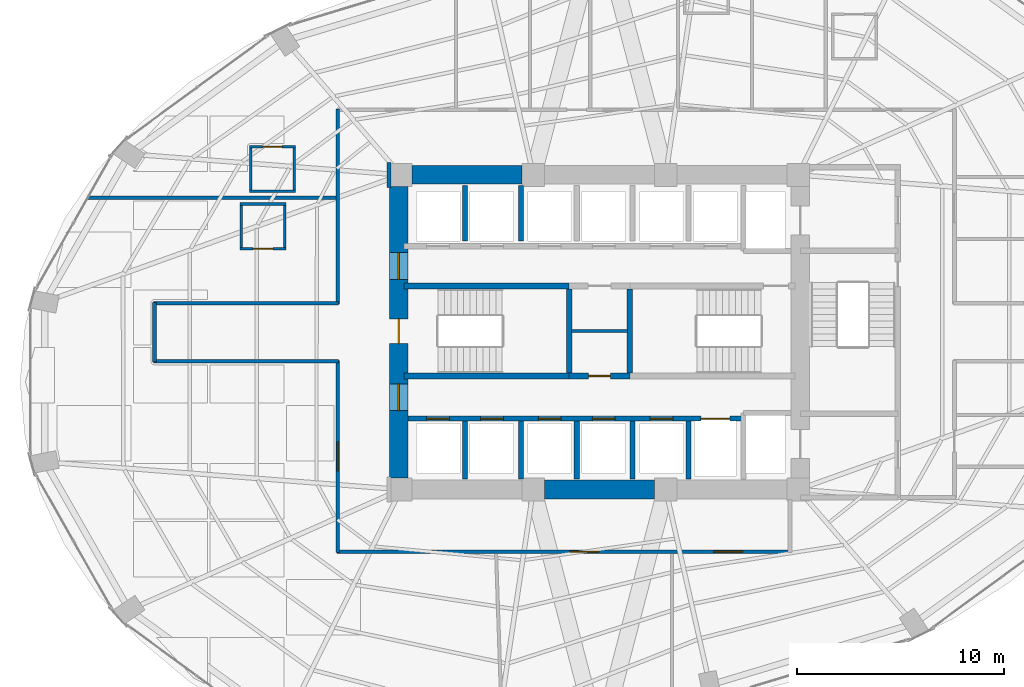
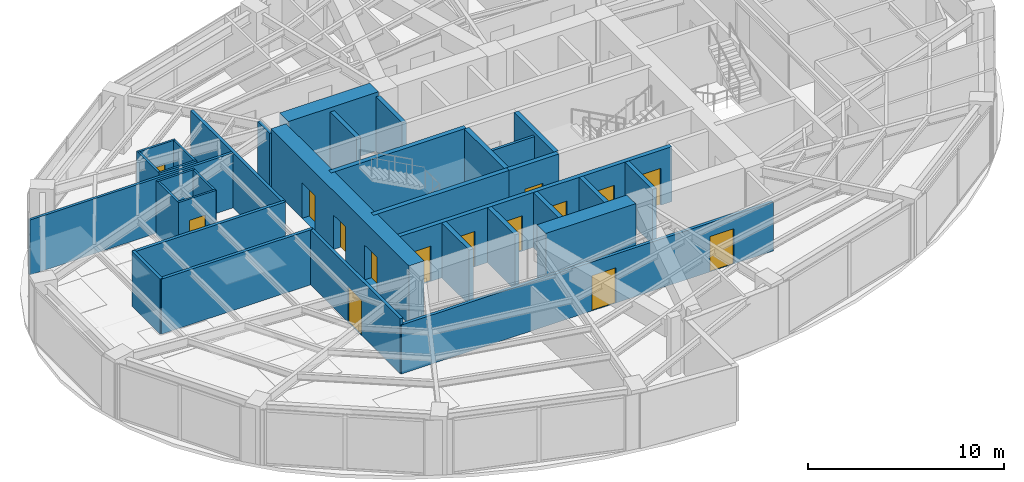
# One storey, part 20 of 24: 33 walls, 15 doors, 15 openings.
"""IFC4 building model written with IfcOpenShell, lengths in metres."""

from ifc_helpers import new_model, si_unit, direction, frame, frame_2d, origin, place, context, subcontext, project, spatial, rectangle, extrude, material, layer, layer_set, type_object, element, fill, save


model = new_model("IFC4")

# Units and contexts
model_context = context("Model", 3, precision=1e-05, world=origin(), true_north=direction((0.0, 1.0)))
body_context = subcontext(model_context, "Body", "Model", "MODEL_VIEW")
ifc_project = project(units=[si_unit("LENGTHUNIT", "METRE"), si_unit("AREAUNIT", "SQUARE_METRE"), si_unit("VOLUMEUNIT", "CUBIC_METRE"), si_unit("PLANEANGLEUNIT", "RADIAN"), si_unit("MASSUNIT", "GRAM", prefix="KILO")], contexts=[model_context])

# Site, building, storey
site_placement = place(None, origin())
site = spatial("IfcSite", under=ifc_project, at=site_placement, CompositionType="ELEMENT")
building_placement = place(site_placement, origin())
building = spatial("IfcBuilding", under=site, at=building_placement, Name="Lazwardi Medical Tower", CompositionType="ELEMENT")
storey_placement = place(building_placement, frame((0.0, 0.0, 54.384033203125)))
storey = spatial("IfcBuildingStorey", under=building, at=storey_placement, Name="L13", CompositionType="ELEMENT", Elevation=54.384033203125)

# Walls
ifc_material_1 = material(Name="Fire-rated gypsum board on steel stud", Category="steel")
ifc_layer_1 = layer(ifc_material_1, 0.179931640625)
ifc_layer_set_1 = layer_set([ifc_layer_1], Name="Fire-rated gypsum board on steel stud")
wall_type_1 = type_object("IfcWallType", Name="WL-COR-180", PredefinedType="PARTITIONING", material=ifc_layer_set_1)
wall_1_placement = place(storey_placement, frame((14.5, 26.56005859375, 0.0), z_axis=(0.0, 0.0, 1.0), x_axis=(0.0, 1.0, 0.0)))
element("IfcWall", 1, at=wall_1_placement, inside=storey, type_object=wall_type_1, Name="L13 Corridor partition 1", PredefinedType="PARTITIONING", context=body_context, shape_type="SweptSolid", body=[
    extrude(rectangle(XDim=2.8798828125, YDim=0.179931640625, at=frame_2d((1.43994140625, 0.0))), origin(), (0.0, 0.0, 1.0), 3.427978515625),
])
wall_2_placement = place(storey_placement, frame((14.4599609375, 29.39990234375, 0.0), z_axis=(0.0, 0.0, 1.0), x_axis=(1.0, 0.0, 0.0)))
element("IfcWall", 2, at=wall_2_placement, inside=storey, type_object=wall_type_1, Name="L13 Corridor partition 2", PredefinedType="PARTITIONING", context=body_context, shape_type="SweptSolid", body=[
    extrude(rectangle(XDim=8.929931640625, YDim=0.179931640625, at=frame_2d((4.46484375, 0.0))), origin(), (0.0, 0.0, 1.0), 3.427978515625),
])
wall_3_placement = place(storey_placement, frame((23.35009765625, 29.360107421875, 0.0), z_axis=(0.0, 0.0, 1.0), x_axis=(0.0, 1.0, 0.0)))
element("IfcWall", 3, at=wall_3_placement, inside=storey, type_object=wall_type_1, Name="L13 Corridor partition 3", PredefinedType="PARTITIONING", context=body_context, shape_type="SweptSolid", body=[
    extrude(rectangle(XDim=9.429931640625, YDim=0.179931640625, at=frame_2d((4.71484375, 0.0))), origin(), (0.0, 0.0, 1.0), 3.427978515625),
])
wall_4_placement = place(storey_placement, frame((25.830078125, 36.2099609375, 0.0), z_axis=(0.0, 0.0, 1.0), x_axis=(0.0, -1.0, 0.0)))
element("IfcWall", 4, at=wall_4_placement, inside=storey, type_object=wall_type_1, Name="L13 Corridor partition 12", PredefinedType="PARTITIONING", context=body_context, shape_type="SweptSolid", body=[
    extrude(rectangle(XDim=1.219970703125, YDim=0.179931640625, at=frame_2d((0.60986328125, 0.0))), origin(), (0.0, 0.0, 1.0), 3.427978515625),
])

# Wall, openings, doors
wall_5_placement = place(storey_placement, frame((45.239990234375, 17.39990234375, 0.0), z_axis=(0.0, 0.0, 1.0), x_axis=(-1.0, 0.0, 0.0)))
wall_5 = element("IfcWall", 5, at=wall_5_placement, inside=storey, type_object=wall_type_1, Name="L13 Corridor partition 15", PredefinedType="PARTITIONING", context=body_context, shape_type="SweptSolid", body=[
    extrude(rectangle(XDim=21.929931640625, YDim=0.179931640625, at=frame_2d((10.96484375, 0.0))), origin(), (0.0, 0.0, 1.0), 3.052978515625),
])
opening_1_placement = place(wall_5_placement, frame((9.288818359375, 0.0, 0.0)))
opening_1 = element("IfcOpeningElement", 6, at=opening_1_placement, cuts=wall_5, Name="Opening D-L13-012", PredefinedType="OPENING", context=body_context, shape_type="SweptSolid", body=[
    extrude(rectangle(XDim=1.39990234375, YDim=2.199951171875, at=frame_2d((0.699951171875, 1.10009765625))), frame((0.0, 0.099853515625, 0.0), z_axis=(0.0, -1.0, 0.0), x_axis=(1.0, 0.0, 0.0)), (0.0, 0.0, 1.0), 0.199951171875),
])
opening_2_placement = place(wall_5_placement, frame((2.3291015625, 0.0, 0.0)))
opening_2 = element("IfcOpeningElement", 7, at=opening_2_placement, cuts=wall_5, Name="Opening D-L13-013", PredefinedType="OPENING", context=body_context, shape_type="SweptSolid", body=[
    extrude(rectangle(XDim=1.39990234375, YDim=2.199951171875, at=frame_2d((0.699951171875, 1.10009765625))), frame((0.0, 0.099853515625, 0.0), z_axis=(0.0, -1.0, 0.0), x_axis=(1.0, 0.0, 0.0)), (0.0, 0.0, 1.0), 0.199951171875),
])
ifc_material_2 = material(Name="Anti-microbial laminate hospital leaf")
door_type_1 = type_object("IfcDoorType", Name="DR-BED-1400", OperationType="NOTDEFINED", PredefinedType="DOOR", material=ifc_material_2)
door_1_placement = place(opening_1_placement, origin())
door_1 = element("IfcDoor", 8, at=door_1_placement, inside=storey, type_object=door_type_1, Name="L13 Rehabilitation Gymnasium Door 02", OperationType="SINGLE_SWING_RIGHT", OverallHeight=2.199951171875, OverallWidth=1.39990234375, PredefinedType="DOOR", context=body_context, shape_type="SweptSolid", body=[
    extrude(rectangle(XDim=1.39990234375, YDim=2.199951171875, at=frame_2d((0.699951171875, 1.10009765625))), frame((0.0, 0.02490234375, 0.0), z_axis=(0.0, -1.0, 0.0), x_axis=(1.0, 0.0, 0.0)), (0.0, 0.0, 1.0), 0.050048828125),
])
fill(opening_1, door_1)
door_2_placement = place(opening_2_placement, origin())
door_2 = element("IfcDoor", 9, at=door_2_placement, inside=storey, type_object=door_type_1, Name="L13 Patient Day Lounge Door 03", OperationType="SINGLE_SWING_LEFT", OverallHeight=2.199951171875, OverallWidth=1.39990234375, PredefinedType="DOOR", context=body_context, shape_type="SweptSolid", body=[
    extrude(rectangle(XDim=1.39990234375, YDim=2.199951171875, at=frame_2d((0.699951171875, 1.10009765625))), frame((0.0, 0.02490234375, 0.0), z_axis=(0.0, -1.0, 0.0), x_axis=(1.0, 0.0, 0.0)), (0.0, 0.0, 1.0), 0.050048828125),
])
fill(opening_2, door_2)

# Wall, opening, door
wall_6_placement = place(storey_placement, frame((23.35009765625, 17.360107421875, 0.0), z_axis=(0.0, 0.0, 1.0), x_axis=(0.0, 1.0, 0.0)))
wall_6 = element("IfcWall", 10, at=wall_6_placement, inside=storey, type_object=wall_type_1, Name="L13 Corridor partition 16", PredefinedType="PARTITIONING", context=body_context, shape_type="SweptSolid", body=[
    extrude(rectangle(XDim=9.27978515625, YDim=0.179931640625, at=frame_2d((4.639892578125, 0.0))), origin(), (0.0, 0.0, 1.0), 3.427978515625),
])
opening_3_placement = place(wall_6_placement, frame((3.93994140625, 0.0, 0.0)))
opening_3 = element("IfcOpeningElement", 11, at=opening_3_placement, cuts=wall_6, Name="Opening D-L13-011", PredefinedType="OPENING", context=body_context, shape_type="SweptSolid", body=[
    extrude(rectangle(XDim=1.39990234375, YDim=2.199951171875, at=frame_2d((0.699951171875, 1.10009765625))), frame((0.0, 0.099853515625, 0.0), z_axis=(0.0, -1.0, 0.0), x_axis=(1.0, 0.0, 0.0)), (0.0, 0.0, 1.0), 0.199951171875),
])
door_3_placement = place(opening_3_placement, origin())
door_3 = element("IfcDoor", 12, at=door_3_placement, inside=storey, type_object=door_type_1, Name="L13 Inpatient Ward Door 01", OperationType="SINGLE_SWING_LEFT", OverallHeight=2.199951171875, OverallWidth=1.39990234375, PredefinedType="DOOR", context=body_context, shape_type="SweptSolid", body=[
    extrude(rectangle(XDim=1.39990234375, YDim=2.199951171875, at=frame_2d((0.699951171875, 1.10009765625))), frame((0.0, 0.02490234375, 0.0), z_axis=(0.0, -1.0, 0.0), x_axis=(1.0, 0.0, 0.0)), (0.0, 0.0, 1.0), 0.050048828125),
])
fill(opening_3, door_3)

# Wall
wall_7_placement = place(storey_placement, frame((23.389892578125, 26.60009765625, 0.0), z_axis=(0.0, 0.0, 1.0), x_axis=(-1.0, 0.0, 0.0)))
element("IfcWall", 13, at=wall_7_placement, inside=storey, type_object=wall_type_1, Name="L13 Corridor partition 17", PredefinedType="PARTITIONING", context=body_context, shape_type="SweptSolid", body=[
    extrude(rectangle(XDim=8.929931640625, YDim=0.179931640625, at=frame_2d((4.46484375, 0.0))), origin(), (0.0, 0.0, 1.0), 3.427978515625),
])

# Wall, openings, doors
ifc_material_3 = material(Name="Concrete C80/95", Category="concrete")
ifc_layer_2 = layer(ifc_material_3, 0.89990234375)
ifc_layer_set_2 = layer_set([ifc_layer_2], Name="Concrete C80/95")
wall_type_2 = type_object("IfcWallType", Name="WL-CORE-900", PredefinedType="SHEAR", material=ifc_layer_set_2)
wall_8_placement = place(storey_placement, frame((26.300048828125, 20.949951171875, 0.0), z_axis=(0.0, 0.0, 1.0), x_axis=(0.0, 1.0, 0.0)))
wall_8 = element("IfcWall", 14, at=wall_8_placement, inside=storey, type_object=wall_type_2, Name="Core wall CW-S1 west L13", PredefinedType="SHEAR", context=body_context, shape_type="SweptSolid", body=[
    extrude(rectangle(XDim=14.10009765625, YDim=0.89990234375, at=frame_2d((7.050048828125, 0.0))), origin(), (0.0, 0.0, 1.0), 3.64794921875),
])
opening_4_placement = place(wall_8_placement, frame((6.5, 0.0, 0.0)))
opening_4 = element("IfcOpeningElement", 15, at=opening_4_placement, cuts=wall_8, Name="Opening D-L13-024", PredefinedType="OPENING", context=body_context, shape_type="SweptSolid", body=[
    extrude(rectangle(XDim=1.199951171875, YDim=2.14990234375, at=frame_2d((0.60009765625, 1.074951171875))), frame((0.0, 0.4599609375, 0.0), z_axis=(0.0, -1.0, 0.0), x_axis=(1.0, 0.0, 0.0)), (0.0, 0.0, 1.0), 0.919921875),
])
opening_5_placement = place(wall_8_placement, frame((9.60009765625, 0.0, 0.0)))
opening_5 = element("IfcOpeningElement", 16, at=opening_5_placement, cuts=wall_8, Name="Opening D-L13-009", PredefinedType="OPENING", context=body_context, shape_type="SweptSolid", body=[
    extrude(rectangle(XDim=1.300048828125, YDim=2.199951171875, at=frame_2d((0.64990234375, 1.10009765625))), frame((0.0, 0.4599609375, 0.0), z_axis=(0.0, -1.0, 0.0), x_axis=(1.0, 0.0, 0.0)), (0.0, 0.0, 1.0), 0.919921875),
])
opening_6_placement = place(wall_8_placement, frame((3.260009765625, 0.0, 0.0)))
opening_6 = element("IfcOpeningElement", 17, at=opening_6_placement, cuts=wall_8, Name="Opening D-L13-010", PredefinedType="OPENING", context=body_context, shape_type="SweptSolid", body=[
    extrude(rectangle(XDim=1.300048828125, YDim=2.199951171875, at=frame_2d((0.64990234375, 1.10009765625))), frame((0.0, 0.4599609375, 0.0), z_axis=(0.0, -1.0, 0.0), x_axis=(1.0, 0.0, 0.0)), (0.0, 0.0, 1.0), 0.919921875),
])
ifc_material_4 = material(Name="Fire-rated steel leaf and frame", Category="steel")
door_type_2 = type_object("IfcDoorType", Name="DR-FFL-1300", OperationType="NOTDEFINED", PredefinedType="DOOR", material=ifc_material_4)
door_4_placement = place(opening_5_placement, origin())
door_4 = element("IfcDoor", 18, at=door_4_placement, inside=storey, type_object=door_type_2, Name="L13 North Lift Lobby Door", OperationType="SINGLE_SWING_LEFT", OverallHeight=2.199951171875, OverallWidth=1.300048828125, PredefinedType="DOOR", context=body_context, shape_type="SweptSolid", body=[
    extrude(rectangle(XDim=1.300048828125, YDim=2.199951171875, at=frame_2d((0.64990234375, 1.10009765625))), frame((0.0, 0.02490234375, 0.0), z_axis=(0.0, -1.0, 0.0), x_axis=(1.0, 0.0, 0.0)), (0.0, 0.0, 1.0), 0.050048828125),
])
fill(opening_5, door_4)
door_5_placement = place(opening_6_placement, origin())
door_5 = element("IfcDoor", 19, at=door_5_placement, inside=storey, type_object=door_type_2, Name="L13 South Lift Lobby Door", OperationType="SINGLE_SWING_RIGHT", OverallHeight=2.199951171875, OverallWidth=1.300048828125, PredefinedType="DOOR", context=body_context, shape_type="SweptSolid", body=[
    extrude(rectangle(XDim=1.300048828125, YDim=2.199951171875, at=frame_2d((0.64990234375, 1.10009765625))), frame((0.0, 0.02490234375, 0.0), z_axis=(0.0, -1.0, 0.0), x_axis=(1.0, 0.0, 0.0)), (0.0, 0.0, 1.0), 0.050048828125),
])
fill(opening_6, door_5)
door_type_3 = type_object("IfcDoorType", Name="DR-STR-1200", OperationType="NOTDEFINED", PredefinedType="DOOR", material=ifc_material_4)
door_6_placement = place(opening_4_placement, origin())
door_6 = element("IfcDoor", 20, at=door_6_placement, inside=storey, type_object=door_type_3, Name="L13 Exit Stair ST1 Door", OperationType="SINGLE_SWING_LEFT", OverallHeight=2.14990234375, OverallWidth=1.199951171875, PredefinedType="DOOR", context=body_context, shape_type="SweptSolid", body=[
    extrude(rectangle(XDim=1.199951171875, YDim=2.14990234375, at=frame_2d((0.60009765625, 1.074951171875))), frame((0.0, 0.02490234375, 0.0), z_axis=(0.0, -1.0, 0.0), x_axis=(1.0, 0.0, 0.0)), (0.0, 0.0, 1.0), 0.050048828125),
])
fill(opening_4, door_6)

# Walls
wall_9_placement = place(storey_placement, frame((26.949951171875, 35.60009765625, 0.0), z_axis=(0.0, 0.0, 1.0), x_axis=(1.0, 0.0, 0.0)))
element("IfcWall", 21, at=wall_9_placement, inside=storey, type_object=wall_type_2, Name="Core wall CW-S1 N1 L13", PredefinedType="SHEAR", context=body_context, shape_type="SweptSolid", body=[
    extrude(rectangle(XDim=5.300048828125, YDim=0.89990234375, at=frame_2d((2.64990234375, 0.0))), origin(), (0.0, 0.0, 1.0), 3.64794921875),
])
wall_10_placement = place(storey_placement, frame((33.35009765625, 20.39990234375, 0.0), z_axis=(0.0, 0.0, 1.0), x_axis=(1.0, 0.0, 0.0)))
element("IfcWall", 22, at=wall_10_placement, inside=storey, type_object=wall_type_2, Name="Core wall CW-S1 S2 L13", PredefinedType="SHEAR", context=body_context, shape_type="SweptSolid", body=[
    extrude(rectangle(XDim=5.2998046875, YDim=0.89990234375, at=frame_2d((2.64990234375, 0.0))), origin(), (0.0, 0.0, 1.0), 3.64794921875),
])
ifc_material_5 = material(Name="Moisture-resistant gypsum board partition")
ifc_layer_3 = layer(ifc_material_5, 0.125)
ifc_layer_set_3 = layer_set([ifc_layer_3], Name="Moisture-resistant gypsum board partition")
wall_type_3 = type_object("IfcWallType", Name="WL-ENS-125", PredefinedType="PARTITIONING", material=ifc_layer_set_3)
wall_11_placement = place(storey_placement, frame((18.633056640625, 34.195068359375, 0.0), z_axis=(0.0, 0.0, 1.0), x_axis=(1.0, 0.0, 0.0)))
element("IfcWall", 23, at=wall_11_placement, inside=storey, type_object=wall_type_3, Name="L13 En-suite wall 1N", PredefinedType="PARTITIONING", context=body_context, shape_type="SweptSolid", body=[
    extrude(rectangle(XDim=2.219970703125, YDim=0.125, at=frame_2d((1.10986328125, 0.0))), origin(), (0.0, 0.0, 1.0), 3.427978515625),
])

# Wall, opening, door
wall_12_placement = place(storey_placement, frame((18.633056640625, 32.034912109375, 0.0), z_axis=(0.0, 0.0, 1.0), x_axis=(1.0, 0.0, 0.0)))
wall_12 = element("IfcWall", 24, at=wall_12_placement, inside=storey, type_object=wall_type_3, Name="L13 En-suite wall 1S", PredefinedType="PARTITIONING", context=body_context, shape_type="SweptSolid", body=[
    extrude(rectangle(XDim=2.219970703125, YDim=0.125, at=frame_2d((1.10986328125, 0.0))), origin(), (0.0, 0.0, 1.0), 3.427978515625),
])
opening_7_placement = place(wall_12_placement, frame((0.635009765625, 0.0, 0.0)))
opening_7 = element("IfcOpeningElement", 25, at=opening_7_placement, cuts=wall_12, Name="Opening D-L13-003", PredefinedType="OPENING", context=body_context, shape_type="SweptSolid", body=[
    extrude(rectangle(XDim=0.949951171875, YDim=2.10009765625, at=frame_2d((0.47509765625, 1.050048828125))), frame((0.0, 0.072509765625, 0.0), z_axis=(0.0, -1.0, 0.0), x_axis=(1.0, 0.0, 0.0)), (0.0, 0.0, 1.0), 0.14501953125),
])
ifc_material_6 = material(Name="Moisture-resistant laminate door leaf")
door_type_4 = type_object("IfcDoorType", Name="DR-ENS-950", OperationType="NOTDEFINED", PredefinedType="DOOR", material=ifc_material_6)
door_7_placement = place(opening_7_placement, origin())
door_7 = element("IfcDoor", 26, at=door_7_placement, inside=storey, type_object=door_type_4, Name="L13 En-suite Door 01", OperationType="SINGLE_SWING_RIGHT", OverallHeight=2.10009765625, OverallWidth=0.949951171875, PredefinedType="DOOR", context=body_context, shape_type="SweptSolid", body=[
    extrude(rectangle(XDim=0.949951171875, YDim=2.10009765625, at=frame_2d((0.47509765625, 1.050048828125))), frame((0.0, 0.02490234375, 0.0), z_axis=(0.0, -1.0, 0.0), x_axis=(1.0, 0.0, 0.0)), (0.0, 0.0, 1.0), 0.050048828125),
])
fill(opening_7, door_7)

# Walls
for number, where, z_axis, x_axis, name in (
    (27, (20.793212890625, 31.97509765625, 0.0), (0.0, 0.0, 1.0), (0.0, 1.0, 0.0), "L13 En-suite wall 1E"),
    (28, (18.693115234375, 31.97509765625, 0.0), (0.0, 0.0, 1.0), (0.0, 1.0, 0.0), "L13 En-suite wall 1W"),
):
    element("IfcWall", number, at=place(storey_placement, frame(where, z_axis=z_axis, x_axis=x_axis)), inside=storey, type_object=wall_type_3, Name=name, PredefinedType="PARTITIONING", context=body_context, shape_type="SweptSolid", body=[
        extrude(rectangle(XDim=2.27978515625, YDim=0.125, at=frame_2d((1.139892578125, 0.0))), origin(), (0.0, 0.0, 1.0), 3.427978515625),
    ])

# Wall, opening, door
wall_13_placement = place(storey_placement, frame((19.084228515625, 36.965087890625, 0.0), z_axis=(0.0, 0.0, 1.0), x_axis=(1.0, 0.0, 0.0)))
wall_13 = element("IfcWall", 29, at=wall_13_placement, inside=storey, type_object=wall_type_3, Name="L13 En-suite wall 13N", PredefinedType="PARTITIONING", context=body_context, shape_type="SweptSolid", body=[
    extrude(rectangle(XDim=2.219970703125, YDim=0.125, at=frame_2d((1.10986328125, 0.0))), origin(), (0.0, 0.0, 1.0), 3.427978515625),
])
opening_8_placement = place(wall_13_placement, frame((0.635009765625, 0.0, 0.0)))
opening_8 = element("IfcOpeningElement", 30, at=opening_8_placement, cuts=wall_13, Name="Opening D-L13-006", PredefinedType="OPENING", context=body_context, shape_type="SweptSolid", body=[
    extrude(rectangle(XDim=0.949951171875, YDim=2.10009765625, at=frame_2d((0.47509765625, 1.050048828125))), frame((0.0, 0.072509765625, 0.0), z_axis=(0.0, -1.0, 0.0), x_axis=(1.0, 0.0, 0.0)), (0.0, 0.0, 1.0), 0.14501953125),
])
door_8_placement = place(opening_8_placement, origin())
door_8 = element("IfcDoor", 31, at=door_8_placement, inside=storey, type_object=door_type_4, Name="L13 En-suite Door 13", OperationType="SINGLE_SWING_LEFT", OverallHeight=2.10009765625, OverallWidth=0.949951171875, PredefinedType="DOOR", context=body_context, shape_type="SweptSolid", body=[
    extrude(rectangle(XDim=0.949951171875, YDim=2.10009765625, at=frame_2d((0.47509765625, 1.050048828125))), frame((0.0, 0.02490234375, 0.0), z_axis=(0.0, -1.0, 0.0), x_axis=(1.0, 0.0, 0.0)), (0.0, 0.0, 1.0), 0.050048828125),
])
fill(opening_8, door_8)

# Walls
wall_14_placement = place(storey_placement, frame((19.084228515625, 34.804931640625, 0.0), z_axis=(0.0, 0.0, 1.0), x_axis=(1.0, 0.0, 0.0)))
element("IfcWall", 32, at=wall_14_placement, inside=storey, type_object=wall_type_3, Name="L13 En-suite wall 13S", PredefinedType="PARTITIONING", context=body_context, shape_type="SweptSolid", body=[
    extrude(rectangle(XDim=2.219970703125, YDim=0.125, at=frame_2d((1.10986328125, 0.0))), origin(), (0.0, 0.0, 1.0), 3.427978515625),
])
for number, where, z_axis, x_axis, name in (
    (33, (21.244384765625, 34.7451171875, 0.0), (0.0, 0.0, 1.0), (0.0, 1.0, 0.0), "L13 En-suite wall 13E"),
    (34, (19.144287109375, 34.7451171875, 0.0), (0.0, 0.0, 1.0), (0.0, 1.0, 0.0), "L13 En-suite wall 13W"),
):
    element("IfcWall", number, at=place(storey_placement, frame(where, z_axis=z_axis, x_axis=x_axis)), inside=storey, type_object=wall_type_3, Name=name, PredefinedType="PARTITIONING", context=body_context, shape_type="SweptSolid", body=[
        extrude(rectangle(XDim=2.27978515625, YDim=0.125, at=frame_2d((1.139892578125, 0.0))), origin(), (0.0, 0.0, 1.0), 3.427978515625),
    ])

# Wall, openings, doors
ifc_material_7 = material(Name="Autoclaved aerated concrete blockwork", Category="masonry")
ifc_layer_4 = layer(ifc_material_7, 0.25)
ifc_layer_set_4 = layer_set([ifc_layer_4], Name="Autoclaved aerated concrete blockwork")
wall_type_4 = type_object("IfcWallType", Name="WL-SHAFT-250", PredefinedType="SOLIDWALL", material=ifc_layer_set_4)
wall_15_placement = place(storey_placement, frame((26.75, 23.830078125, 0.0), z_axis=(0.0, 0.0, 1.0), x_axis=(1.0, 0.0, 0.0)))
wall_15 = element("IfcWall", 35, at=wall_15_placement, inside=storey, type_object=wall_type_4, Name="L13 South lift bank front wall", PredefinedType="SOLIDWALL", context=body_context, shape_type="SweptSolid", body=[
    extrude(rectangle(XDim=16.199951171875, YDim=0.25, at=frame_2d((8.10009765625, 0.0))), origin(), (0.0, 0.0, 1.0), 3.427978515625),
])
opening_9_placement = place(wall_15_placement, frame((0.89990234375, 0.0, 0.0)))
opening_9 = element("IfcOpeningElement", 36, at=opening_9_placement, cuts=wall_15, Name="Opening LD-L13-006", PredefinedType="OPENING", context=body_context, shape_type="SweptSolid", body=[
    extrude(rectangle(XDim=1.10009765625, YDim=2.199951171875, at=frame_2d((0.550048828125, 1.10009765625))), frame((0.0, 0.135009765625, 0.0), z_axis=(0.0, -1.0, 0.0), x_axis=(1.0, 0.0, 0.0)), (0.0, 0.0, 1.0), 0.27001953125),
])
opening_10_placement = place(wall_15_placement, frame((3.5, 0.0, 0.0)))
opening_10 = element("IfcOpeningElement", 37, at=opening_10_placement, cuts=wall_15, Name="Opening LD-L13-007", PredefinedType="OPENING", context=body_context, shape_type="SweptSolid", body=[
    extrude(rectangle(XDim=1.10009765625, YDim=2.199951171875, at=frame_2d((0.550048828125, 1.10009765625))), frame((0.0, 0.135009765625, 0.0), z_axis=(0.0, -1.0, 0.0), x_axis=(1.0, 0.0, 0.0)), (0.0, 0.0, 1.0), 0.27001953125),
])
opening_11_placement = place(wall_15_placement, frame((6.300048828125, 0.0, 0.0)))
opening_11 = element("IfcOpeningElement", 38, at=opening_11_placement, cuts=wall_15, Name="Opening LD-L13-010", PredefinedType="OPENING", context=body_context, shape_type="SweptSolid", body=[
    extrude(rectangle(XDim=1.10009765625, YDim=2.199951171875, at=frame_2d((0.550048828125, 1.10009765625))), frame((0.0, 0.135009765625, 0.0), z_axis=(0.0, -1.0, 0.0), x_axis=(1.0, 0.0, 0.0)), (0.0, 0.0, 1.0), 0.27001953125),
])
opening_12_placement = place(wall_15_placement, frame((8.89990234375, 0.0, 0.0)))
opening_12 = element("IfcOpeningElement", 39, at=opening_12_placement, cuts=wall_15, Name="Opening LD-L13-011", PredefinedType="OPENING", context=body_context, shape_type="SweptSolid", body=[
    extrude(rectangle(XDim=1.10009765625, YDim=2.199951171875, at=frame_2d((0.550048828125, 1.10009765625))), frame((0.0, 0.135009765625, 0.0), z_axis=(0.0, -1.0, 0.0), x_axis=(1.0, 0.0, 0.0)), (0.0, 0.0, 1.0), 0.27001953125),
])
opening_13_placement = place(wall_15_placement, frame((11.699951171875, 0.0, 0.0)))
opening_13 = element("IfcOpeningElement", 40, at=opening_13_placement, cuts=wall_15, Name="Opening LD-L13-014", PredefinedType="OPENING", context=body_context, shape_type="SweptSolid", body=[
    extrude(rectangle(XDim=1.10009765625, YDim=2.199951171875, at=frame_2d((0.550048828125, 1.10009765625))), frame((0.0, 0.135009765625, 0.0), z_axis=(0.0, -1.0, 0.0), x_axis=(1.0, 0.0, 0.0)), (0.0, 0.0, 1.0), 0.27001953125),
])
opening_14_placement = place(wall_15_placement, frame((14.14990234375, 0.0, 0.0)))
opening_14 = element("IfcOpeningElement", 41, at=opening_14_placement, cuts=wall_15, Name="Opening LD-L13-003", PredefinedType="OPENING", context=body_context, shape_type="SweptSolid", body=[
    extrude(rectangle(XDim=1.39990234375, YDim=2.300048828125, at=frame_2d((0.699951171875, 1.14990234375))), frame((0.0, 0.135009765625, 0.0), z_axis=(0.0, -1.0, 0.0), x_axis=(1.0, 0.0, 0.0)), (0.0, 0.0, 1.0), 0.27001953125),
])
ifc_material_8 = material(Name="Brushed bronze stainless steel landing door", Category="steel")
door_type_5 = type_object("IfcDoorType", Name="DR-LFT-1100", OperationType="NOTDEFINED", PredefinedType="DOOR", material=ifc_material_8)
door_9_placement = place(opening_9_placement, origin())
door_9 = element("IfcDoor", 42, at=door_9_placement, inside=storey, type_object=door_type_5, Name="L13 Lift Landing Door PL-03", OperationType="SLIDING_TO_LEFT", OverallHeight=2.199951171875, OverallWidth=1.10009765625, PredefinedType="DOOR", context=body_context, shape_type="SweptSolid", body=[
    extrude(rectangle(XDim=1.10009765625, YDim=2.199951171875, at=frame_2d((0.550048828125, 1.10009765625))), frame((0.0, 0.02490234375, 0.0), z_axis=(0.0, -1.0, 0.0), x_axis=(1.0, 0.0, 0.0)), (0.0, 0.0, 1.0), 0.050048828125),
])
fill(opening_9, door_9)
door_10_placement = place(opening_10_placement, origin())
door_10 = element("IfcDoor", 43, at=door_10_placement, inside=storey, type_object=door_type_5, Name="L13 Lift Landing Door PL-04", OperationType="SLIDING_TO_LEFT", OverallHeight=2.199951171875, OverallWidth=1.10009765625, PredefinedType="DOOR", context=body_context, shape_type="SweptSolid", body=[
    extrude(rectangle(XDim=1.10009765625, YDim=2.199951171875, at=frame_2d((0.550048828125, 1.10009765625))), frame((0.0, 0.02490234375, 0.0), z_axis=(0.0, -1.0, 0.0), x_axis=(1.0, 0.0, 0.0)), (0.0, 0.0, 1.0), 0.050048828125),
])
fill(opening_10, door_10)
door_11_placement = place(opening_11_placement, origin())
door_11 = element("IfcDoor", 44, at=door_11_placement, inside=storey, type_object=door_type_5, Name="L13 Lift Landing Door PL-07", OperationType="SLIDING_TO_LEFT", OverallHeight=2.199951171875, OverallWidth=1.10009765625, PredefinedType="DOOR", context=body_context, shape_type="SweptSolid", body=[
    extrude(rectangle(XDim=1.10009765625, YDim=2.199951171875, at=frame_2d((0.550048828125, 1.10009765625))), frame((0.0, 0.02490234375, 0.0), z_axis=(0.0, -1.0, 0.0), x_axis=(1.0, 0.0, 0.0)), (0.0, 0.0, 1.0), 0.050048828125),
])
fill(opening_11, door_11)
door_12_placement = place(opening_12_placement, origin())
door_12 = element("IfcDoor", 45, at=door_12_placement, inside=storey, type_object=door_type_5, Name="L13 Lift Landing Door PL-08", OperationType="SLIDING_TO_LEFT", OverallHeight=2.199951171875, OverallWidth=1.10009765625, PredefinedType="DOOR", context=body_context, shape_type="SweptSolid", body=[
    extrude(rectangle(XDim=1.10009765625, YDim=2.199951171875, at=frame_2d((0.550048828125, 1.10009765625))), frame((0.0, 0.02490234375, 0.0), z_axis=(0.0, -1.0, 0.0), x_axis=(1.0, 0.0, 0.0)), (0.0, 0.0, 1.0), 0.050048828125),
])
fill(opening_12, door_12)
door_13_placement = place(opening_13_placement, origin())
door_13 = element("IfcDoor", 46, at=door_13_placement, inside=storey, type_object=door_type_5, Name="L13 Lift Landing Door PL-11", OperationType="SLIDING_TO_LEFT", OverallHeight=2.199951171875, OverallWidth=1.10009765625, PredefinedType="DOOR", context=body_context, shape_type="SweptSolid", body=[
    extrude(rectangle(XDim=1.10009765625, YDim=2.199951171875, at=frame_2d((0.550048828125, 1.10009765625))), frame((0.0, 0.02490234375, 0.0), z_axis=(0.0, -1.0, 0.0), x_axis=(1.0, 0.0, 0.0)), (0.0, 0.0, 1.0), 0.050048828125),
])
fill(opening_13, door_13)
ifc_material_9 = material(Name="Brushed stainless steel bed-lift landing door", Category="steel")
door_type_6 = type_object("IfcDoorType", Name="DR-LFT-1400", OperationType="NOTDEFINED", PredefinedType="DOOR", material=ifc_material_9)
door_14_placement = place(opening_14_placement, origin())
door_14 = element("IfcDoor", 47, at=door_14_placement, inside=storey, type_object=door_type_6, Name="L13 Lift Landing Door FL-03", OperationType="SLIDING_TO_LEFT", OverallHeight=2.300048828125, OverallWidth=1.39990234375, PredefinedType="DOOR", context=body_context, shape_type="SweptSolid", body=[
    extrude(rectangle(XDim=1.39990234375, YDim=2.300048828125, at=frame_2d((0.699951171875, 1.14990234375))), frame((0.0, 0.02490234375, 0.0), z_axis=(0.0, -1.0, 0.0), x_axis=(1.0, 0.0, 0.0)), (0.0, 0.0, 1.0), 0.050048828125),
])
fill(opening_14, door_14)

# Walls
wall_16_placement = place(storey_placement, frame((29.5, 32.419921875, 0.0), z_axis=(0.0, 0.0, 1.0), x_axis=(0.0, 1.0, 0.0)))
element("IfcWall", 48, at=wall_16_placement, inside=storey, type_object=wall_type_4, Name="L13 North hoistway divider", PredefinedType="SOLIDWALL", context=body_context, shape_type="SweptSolid", body=[
    extrude(rectangle(XDim=2.68017578125, YDim=0.25, at=frame_2d((1.340087890625, 0.0))), origin(), (0.0, 0.0, 1.0), 3.427978515625),
])
wall_17_placement = place(storey_placement, frame((29.5, 20.89990234375, 0.0), z_axis=(0.0, 0.0, 1.0), x_axis=(0.0, 1.0, 0.0)))
element("IfcWall", 49, at=wall_17_placement, inside=storey, type_object=wall_type_4, Name="L13 South hoistway divider", PredefinedType="SOLIDWALL", context=body_context, shape_type="SweptSolid", body=[
    extrude(rectangle(XDim=2.800048828125, YDim=0.25, at=frame_2d((1.39990234375, 0.0))), origin(), (0.0, 0.0, 1.0), 3.427978515625),
])
wall_18_placement = place(storey_placement, frame((32.199951171875, 32.419921875, 0.0), z_axis=(0.0, 0.0, 1.0), x_axis=(0.0, 1.0, 0.0)))
element("IfcWall", 50, at=wall_18_placement, inside=storey, type_object=wall_type_4, Name="L13 North hoistway divider", PredefinedType="SOLIDWALL", context=body_context, shape_type="SweptSolid", body=[
    extrude(rectangle(XDim=2.68017578125, YDim=0.25, at=frame_2d((1.340087890625, 0.0))), origin(), (0.0, 0.0, 1.0), 3.427978515625),
])
for number, where, z_axis, x_axis, name in (
    (51, (32.199951171875, 20.89990234375, 0.0), (0.0, 0.0, 1.0), (0.0, 1.0, 0.0), "L13 South hoistway divider"),
    (52, (34.89990234375, 20.89990234375, 0.0), (0.0, 0.0, 1.0), (0.0, 1.0, 0.0), "L13 South hoistway divider"),
    (53, (37.60009765625, 20.89990234375, 0.0), (0.0, 0.0, 1.0), (0.0, 1.0, 0.0), "L13 South hoistway divider"),
    (54, (40.300048828125, 20.89990234375, 0.0), (0.0, 0.0, 1.0), (0.0, 1.0, 0.0), "L13 South hoistway divider"),
):
    element("IfcWall", number, at=place(storey_placement, frame(where, z_axis=z_axis, x_axis=x_axis)), inside=storey, type_object=wall_type_4, Name=name, PredefinedType="SOLIDWALL", context=body_context, shape_type="SweptSolid", body=[
        extrude(rectangle(XDim=2.800048828125, YDim=0.25, at=frame_2d((1.39990234375, 0.0))), origin(), (0.0, 0.0, 1.0), 3.427978515625),
    ])
ifc_material_10 = material(Name="Concrete C50/60", Category="concrete")
ifc_layer_5 = layer(ifc_material_10, 0.27001953125)
ifc_layer_set_5 = layer_set([ifc_layer_5], Name="Concrete C50/60")
wall_type_5 = type_object("IfcWallType", Name="WL-STR-250", PredefinedType="SHEAR", material=ifc_layer_set_5)
for number, where, z_axis, x_axis, name in (
    (55, (26.550048828125, 30.235107421875, 0.0), (0.0, 0.0, 1.0), (1.0, 0.0, 0.0), "L13 ST1 North shear shaft wall SW-S1"),
    (56, (26.550048828125, 25.885009765625, 0.0), (0.0, 0.0, 1.0), (1.0, 0.0, 0.0), "L13 ST1 South shear shaft wall SW-S1"),
):
    element("IfcWall", number, at=place(storey_placement, frame(where, z_axis=z_axis, x_axis=x_axis)), inside=storey, type_object=wall_type_5, Name=name, PredefinedType="SHEAR", context=body_context, shape_type="SweptSolid", body=[
        extrude(rectangle(XDim=7.98486328125, YDim=0.27001953125, at=frame_2d((3.992431640625, 0.0))), origin(), (0.0, 0.0, 1.0), 3.64794921875),
    ])

# Wall, opening, door
wall_19_placement = place(storey_placement, frame((34.534912109375, 25.885009765625, 0.0), z_axis=(0.0, 0.0, 1.0), x_axis=(1.0, 0.0, 0.0)))
wall_19 = element("IfcWall", 57, at=wall_19_placement, inside=storey, type_object=wall_type_5, Name="L13 Core service South shear wall SW-S1", PredefinedType="SHEAR", context=body_context, shape_type="SweptSolid", body=[
    extrude(rectangle(XDim=2.93017578125, YDim=0.27001953125, at=frame_2d((1.465087890625, 0.0))), origin(), (0.0, 0.0, 1.0), 3.64794921875),
])
opening_15_placement = place(wall_19_placement, frame((0.93994140625, 0.0, 0.0)))
opening_15 = element("IfcOpeningElement", 58, at=opening_15_placement, cuts=wall_19, Name="Opening D-L13-001", PredefinedType="OPENING", context=body_context, shape_type="SweptSolid", body=[
    extrude(rectangle(XDim=1.050048828125, YDim=2.14990234375, at=frame_2d((0.52490234375, 1.074951171875))), frame((0.0, 0.14501953125, 0.0), z_axis=(0.0, -1.0, 0.0), x_axis=(1.0, 0.0, 0.0)), (0.0, 0.0, 1.0), 0.2900390625),
])
door_type_7 = type_object("IfcDoorType", Name="DR-CLN-1050", OperationType="NOTDEFINED", PredefinedType="DOOR", material=ifc_material_2)
door_15_placement = place(opening_15_placement, origin())
door_15 = element("IfcDoor", 59, at=door_15_placement, inside=storey, type_object=door_type_7, Name="L13 Dirty Sluice Door", OperationType="SINGLE_SWING_LEFT", OverallHeight=2.14990234375, OverallWidth=1.050048828125, PredefinedType="DOOR", context=body_context, shape_type="SweptSolid", body=[
    extrude(rectangle(XDim=1.050048828125, YDim=2.14990234375, at=frame_2d((0.52490234375, 1.074951171875))), frame((0.0, 0.02490234375, 0.0), z_axis=(0.0, -1.0, 0.0), x_axis=(1.0, 0.0, 0.0)), (0.0, 0.0, 1.0), 0.050048828125),
])
fill(opening_15, door_15)

# Walls
for number, where, z_axis, x_axis, name in (
    (60, (34.534912109375, 26.02001953125, 0.0), (0.0, 0.0, 1.0), (0.0, 1.0, 0.0), "L13 ST1 East shear shaft wall SW-S1"),
    (61, (37.465087890625, 26.02001953125, 0.0), (0.0, 0.0, 1.0), (0.0, 1.0, 0.0), "L13 ST2 West shear shaft wall SW-S1"),
):
    element("IfcWall", number, at=place(storey_placement, frame(where, z_axis=z_axis, x_axis=x_axis)), inside=storey, type_object=wall_type_5, Name=name, PredefinedType="SHEAR", context=body_context, shape_type="SweptSolid", body=[
        extrude(rectangle(XDim=4.080078125, YDim=0.27001953125, at=frame_2d((2.0400390625, 0.0))), origin(), (0.0, 0.0, 1.0), 3.64794921875),
    ])
ifc_material_11 = material(Name="Acoustic gypsum board partition")
ifc_layer_6 = layer(ifc_material_11, 0.14990234375)
ifc_layer_set_6 = layer_set([ifc_layer_6], Name="Acoustic gypsum board partition")
wall_type_6 = type_object("IfcWallType", Name="WL-WRD-150", PredefinedType="PARTITIONING", material=ifc_layer_set_6)
wall_20_placement = place(storey_placement, frame((34.64990234375, 28.06005859375, 0.0), z_axis=(0.0, 0.0, 1.0), x_axis=(1.0, 0.0, 0.0)))
element("IfcWall", 62, at=wall_20_placement, inside=storey, type_object=wall_type_6, Name="L13 Core service divider", PredefinedType="PARTITIONING", context=body_context, shape_type="SweptSolid", body=[
    extrude(rectangle(XDim=2.7001953125, YDim=0.14990234375, at=frame_2d((1.35009765625, 0.0))), origin(), (0.0, 0.0, 1.0), 3.427978515625),
])
wall_21_placement = place(storey_placement, frame((11.281005859375, 34.5, 0.0), z_axis=(0.0, 0.0, 1.0), x_axis=(1.0, 0.0, 0.0)))
element("IfcWall", 63, at=wall_21_placement, inside=storey, type_object=wall_type_6, Name="L13 Room partition 1", PredefinedType="PARTITIONING", context=body_context, shape_type="SweptSolid", body=[
    extrude(rectangle(XDim=11.97900390625, YDim=0.14990234375, at=frame_2d((5.989501953125, 0.0))), origin(), (0.0, 0.0, 1.0), 3.427978515625),
])

save(model, "model.ifc")
